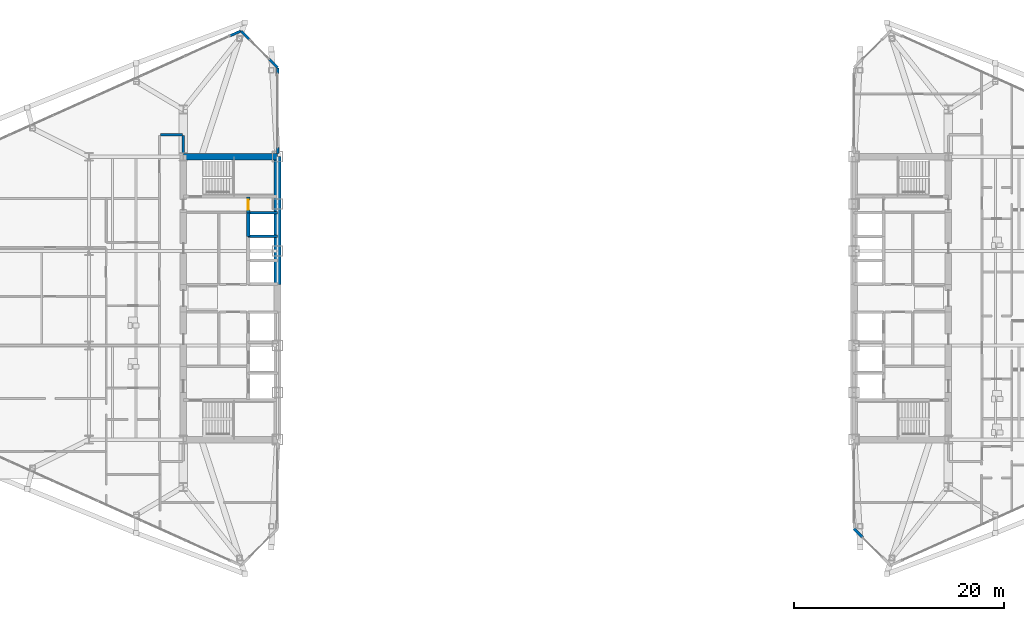
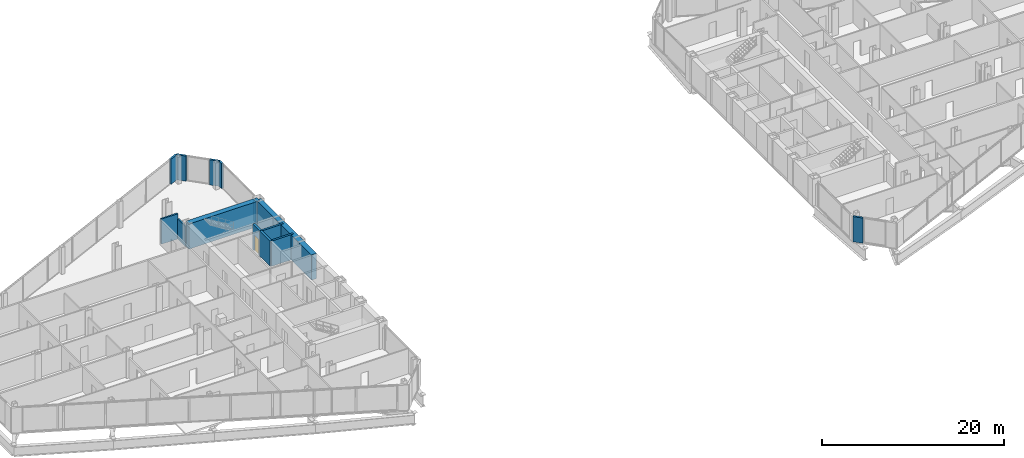
# One storey, part 22 of 29: 14 walls, 1 door, 1 opening.
"""IFC4 building model written with IfcOpenShell, lengths in metres."""

from ifc_helpers import new_model, si_unit, direction, frame, frame_2d, origin, place, context, subcontext, project, spatial, rectangle, extrude, source, transform, mapped, material, layer, layer_set, type_object, type_shapes, element, fill, save


model = new_model("IFC4")

# Units and contexts
model_context = context("Model", 3, precision=1e-05, world=origin(), true_north=direction((0.0, 1.0)))
body_context = subcontext(model_context, "Body", "Model", "MODEL_VIEW")
ifc_project = project(units=[si_unit("LENGTHUNIT", "METRE"), si_unit("AREAUNIT", "SQUARE_METRE"), si_unit("VOLUMEUNIT", "CUBIC_METRE"), si_unit("PLANEANGLEUNIT", "RADIAN"), si_unit("MASSUNIT", "GRAM", prefix="KILO")], contexts=[model_context])

# Site, building, storey
site_placement = place(None, origin())
site = spatial("IfcSite", under=ifc_project, at=site_placement, CompositionType="ELEMENT")
building_placement = place(site_placement, origin())
building = spatial("IfcBuilding", under=site, at=building_placement, Name="Seokmaru Belvedere", CompositionType="ELEMENT")
storey_placement = place(building_placement, frame((0.0, 0.0, 62.10009765625)))
storey = spatial("IfcBuildingStorey", under=building, at=storey_placement, Name="L16", CompositionType="ELEMENT", Elevation=62.10009765625)

# Walls
ifc_material_1 = material(Name="Concrete C50 (50 MPa)", Category="concrete")
ifc_layer_1 = layer(ifc_material_1, 0.25)
ifc_layer_set_1 = layer_set([ifc_layer_1], Name="Concrete C50 (50 MPa)")
wall_type_1 = type_object("IfcWallType", Name="Hoistway Transverse Concrete Divider Wall 250", PredefinedType="SHEAR", material=ifc_layer_set_1)
for number, where, z_axis, x_axis, name in (
    (1, (-30.300048828125, 5.89990234375, 0.0), (0.0, 0.0, 1.0), (1.0, 0.0, 0.0), "L16 West Hoistway Divider Core Wall 6"),
    (2, (-30.300048828125, 8.14990234375, 0.0), (0.0, 0.0, 1.0), (1.0, 0.0, 0.0), "L16 West Hoistway Divider Core Wall 7"),
):
    element("IfcWall", number, at=place(storey_placement, frame(where, z_axis=z_axis, x_axis=x_axis)), inside=storey, type_object=wall_type_1, Name=name, PredefinedType="SHEAR", context=body_context, shape_type="SweptSolid", body=[
        extrude(rectangle(XDim=2.800048828125, YDim=0.25, at=frame_2d((1.39990234375, 0.0))), origin(), (0.0, 0.0, 1.0), 3.3798828125),
    ])
ifc_material_2 = material(Name="Fire-Rated Gypsum Shaftwall")
ifc_layer_2 = layer(ifc_material_2, 0.199951171875)
ifc_layer_set_2 = layer_set([ifc_layer_2], Name="Fire-Rated Gypsum Shaftwall")
wall_type_2 = type_object("IfcWallType", Name="Inter-Tenancy Fire Compartment Partition 200", PredefinedType="PARTITIONING", material=ifc_layer_set_2)
wall_1_placement = place(storey_placement, frame((-38.6650390625, 15.60009765625, 0.0), z_axis=(0.0, 0.0, 1.0), x_axis=(1.0, 0.0, 0.0)))
element("IfcWall", 3, at=wall_1_placement, inside=storey, type_object=wall_type_2, Name="L16 Interior Partition 029", PredefinedType="PARTITIONING", context=body_context, shape_type="SweptSolid", body=[
    extrude(rectangle(XDim=2.080078125, YDim=0.199951171875, at=frame_2d((1.0400390625, 0.0))), origin(), (0.0, 0.0, 1.0), 3.3798828125),
])
wall_2_placement = place(storey_placement, frame((-36.5, 13.830078125, 0.0), z_axis=(0.0, 0.0, 1.0), x_axis=(0.0, 1.0, 0.0)))
element("IfcWall", 4, at=wall_2_placement, inside=storey, type_object=wall_type_2, Name="L16 Interior Partition 039", PredefinedType="PARTITIONING", context=body_context, shape_type="SweptSolid", body=[
    extrude(rectangle(XDim=1.684814453125, YDim=0.199951171875, at=frame_2d((0.84228515625, 0.0))), origin(), (0.0, 0.0, 1.0), 2.679931640625),
])
ifc_layer_3 = layer(ifc_material_1, 0.300048828125)
ifc_layer_set_3 = layer_set([ifc_layer_3], Name="Concrete C50 (50 MPa)")
wall_type_3 = type_object("IfcWallType", Name="Internal Core Stair and Hoistway Wall 300", PredefinedType="SHEAR", material=ifc_layer_set_3)
wall_3_placement = place(storey_placement, frame((-30.300048828125, 5.89990234375, 0.0), z_axis=(0.0, 0.0, 1.0), x_axis=(0.0, 1.0, 0.0)))
element("IfcWall", 5, at=wall_3_placement, inside=storey, type_object=wall_type_3, Name="L16 West North Hoistway Wall OBS", PredefinedType="SHEAR", context=body_context, shape_type="SweptSolid", body=[
    extrude(rectangle(XDim=2.25, YDim=0.300048828125, at=frame_2d((1.125, 0.0))), origin(), (0.0, 0.0, 1.0), 3.3798828125),
])

# Wall, opening, door
wall_4_placement = place(storey_placement, frame((-30.300048828125, 8.14990234375, 0.0), z_axis=(0.0, 0.0, 1.0), x_axis=(0.0, 1.0, 0.0)))
wall_4 = element("IfcWall", 6, at=wall_4_placement, inside=storey, type_object=wall_type_3, Name="L16 West Electrical Riser Front Wall", PredefinedType="SHEAR", context=body_context, shape_type="SweptSolid", body=[
    extrude(rectangle(XDim=1.530029296875, YDim=0.300048828125, at=frame_2d((0.76513671875, 0.0))), origin(), (0.0, 0.0, 1.0), 3.3798828125),
])
opening_placement = place(wall_4_placement, frame((0.284912109375, 0.0, 0.0)))
opening = element("IfcOpeningElement", 7, at=opening_placement, cuts=wall_4, Name="Opening D04", PredefinedType="OPENING", context=body_context, shape_type="SweptSolid", body=[
    extrude(rectangle(XDim=0.949951171875, YDim=2.14990234375, at=frame_2d((0.47509765625, 1.074951171875))), frame((0.0, 0.16015625, 0.0), z_axis=(0.0, -1.0, 0.0), x_axis=(1.0, 0.0, 0.0)), (0.0, 0.0, 1.0), 0.320068359375),
])
ifc_material_3 = material(Name="Fire-Rated Steel Leaf", Category="steel")
door_type = type_object("IfcDoorType", Name="Core Service Room Fire Door 950x2150", OperationType="NOTDEFINED", PredefinedType="DOOR", material=ifc_material_3)
shared_shape = source(origin(), body_context, "Body", "SweptSolid", [
    extrude(rectangle(XDim=0.949951171875, YDim=2.14990234375, at=frame_2d((0.47509765625, 1.074951171875))), frame((0.0, 0.02490234375, 0.0), z_axis=(0.0, -1.0, 0.0), x_axis=(1.0, 0.0, 0.0)), (0.0, 0.0, 1.0), 0.050048828125),
])
type_shapes(door_type, [shared_shape])
door_placement = place(opening_placement, origin())
door = element("IfcDoor", 8, at=door_placement, inside=storey, type_object=door_type, Name="L16 West Electrical Riser Access Door", OperationType="SINGLE_SWING_LEFT", OverallHeight=2.14990234375, OverallWidth=0.949951171875, PredefinedType="DOOR", context=body_context, shape_type="MappedRepresentation", body=[
    mapped(shared_shape, transform((0.0, 0.0, 0.0), scale=1.0)),
])
fill(opening, door)

# Walls
ifc_material_4 = material(Name="Concrete C60 (60 MPa)", Category="concrete")
ifc_layer_4 = layer(ifc_material_4, 0.64990234375)
ifc_layer_set_4 = layer_set([ifc_layer_4], Name="Concrete C60 (60 MPa)")
wall_type_4 = type_object("IfcWallType", Name="Mid-Low Reinforced Concrete Core Wall 650", PredefinedType="SHEAR", material=ifc_layer_set_4)
wall_5_placement = place(storey_placement, frame((-27.5, 1.300048828125, 0.0), z_axis=(0.0, 0.0, 1.0), x_axis=(0.0, 1.0, 0.0)))
element("IfcWall", 9, at=wall_5_placement, inside=storey, type_object=wall_type_4, Name="L16 West Portal Spine Core Wall North", PredefinedType="SHEAR", context=body_context, shape_type="SweptSolid", body=[
    extrude(rectangle(XDim=12.199951171875, YDim=0.64990234375, at=frame_2d((6.10009765625, 0.0))), origin(), (0.0, 0.0, 1.0), 3.3798828125),
])
wall_6_placement = place(storey_placement, frame((-36.5, 13.5, 0.0), z_axis=(0.0, 0.0, 1.0), x_axis=(1.0, 0.0, 0.0)))
element("IfcWall", 10, at=wall_6_placement, inside=storey, type_object=wall_type_4, Name="L16 West North Core Wall", PredefinedType="SHEAR", context=body_context, shape_type="SweptSolid", body=[
    extrude(rectangle(XDim=9.0, YDim=0.64990234375, at=frame_2d((4.5, 0.0))), origin(), (0.0, 0.0, 1.0), 3.3798828125),
])
ifc_material_5 = material(Name="Anodised Bronze Aluminium", Category="aluminium")
ifc_layer_5 = layer(ifc_material_5, 0.239990234375)
ifc_layer_set_5 = layer_set([ifc_layer_5], Name="Anodised Bronze Aluminium")
wall_type_5 = type_object("IfcWallType", Name="Tower Corner Spandrel Closure Wall 240", PredefinedType="SOLIDWALL", material=ifc_layer_set_5)
wall_7_placement = place(storey_placement, frame((-27.5, 13.830078125, 0.0), z_axis=(0.0, 0.0, 1.0), x_axis=(0.0, 1.0, 0.0)))
element("IfcWall", 11, at=wall_7_placement, inside=storey, type_object=wall_type_5, Name="L16 W Spine Closure Pier 2A", PredefinedType="SOLIDWALL", context=body_context, shape_type="SweptSolid", body=[
    extrude(rectangle(XDim=0.5498046875, YDim=0.239990234375, at=frame_2d((0.27490234375, 0.0))), origin(), (0.0, 0.0, 1.0), 2.8798828125),
])
wall_8_placement = place(storey_placement, frame((-27.5, 21.429931640625, 0.0), z_axis=(0.0, 0.0, 1.0), x_axis=(0.0, 1.0, 0.0)))
element("IfcWall", 12, at=wall_8_placement, inside=storey, type_object=wall_type_5, Name="L16 W Spine Closure Pier 2B", PredefinedType="SOLIDWALL", context=body_context, shape_type="SweptSolid", body=[
    extrude(rectangle(XDim=0.550048828125, YDim=0.239990234375, at=frame_2d((0.27490234375, 0.0))), origin(), (0.0, 0.0, 1.0), 3.3798828125),
])
for number, where, z_axis, x_axis, name in (
    (13, (-27.507080078125, 22.007080078125, 0.0), (0.0, 0.0, 1.0), (-0.707106781187, 0.707106781187, 0.0), "L16 W Corner Closure Pier 2A"),
    (14, (-30.186767578125, 24.686767578125, 0.0), (0.0, 0.0, 1.0), (-0.707106781187, 0.707106781187, 0.0), "L16 W Corner Closure Pier 2B"),
):
    element("IfcWall", number, at=place(storey_placement, frame(where, z_axis=z_axis, x_axis=x_axis)), inside=storey, type_object=wall_type_5, Name=name, PredefinedType="SOLIDWALL", context=body_context, shape_type="SweptSolid", body=[
        extrude(rectangle(XDim=1.14013671875, YDim=0.239990234375, at=frame_2d((0.570068359375, 0.0))), origin(), (0.0, 0.0, 1.0), 3.3798828125),
    ])
wall_9_placement = place(storey_placement, frame((-31.009033203125, 25.495849609375, 0.0), z_axis=(0.0, 0.0, 1.0), x_axis=(-0.911929519623, -0.410346866979, 0.0)))
element("IfcWall", 15, at=wall_9_placement, inside=storey, type_object=wall_type_5, Name="L16 W Corner Closure Pier 3A", PredefinedType="SOLIDWALL", context=body_context, shape_type="SweptSolid", body=[
    extrude(rectangle(XDim=1.139892578125, YDim=0.239990234375, at=frame_2d((0.56982421875, 0.0))), origin(), (0.0, 0.0, 1.0), 3.3798828125),
])
wall_10_placement = place(storey_placement, frame((27.507080078125, -22.007080078125, 0.0), z_axis=(0.0, 0.0, 1.0), x_axis=(0.707106781187, -0.707106781187, 0.0)))
element("IfcWall", 16, at=wall_10_placement, inside=storey, type_object=wall_type_5, Name="L16 E Corner Closure Pier 6A", PredefinedType="SOLIDWALL", context=body_context, shape_type="SweptSolid", body=[
    extrude(rectangle(XDim=1.14013671875, YDim=0.239990234375, at=frame_2d((0.570068359375, 0.0))), origin(), (0.0, 0.0, 1.0), 3.3798828125),
])

save(model, "model.ifc")
